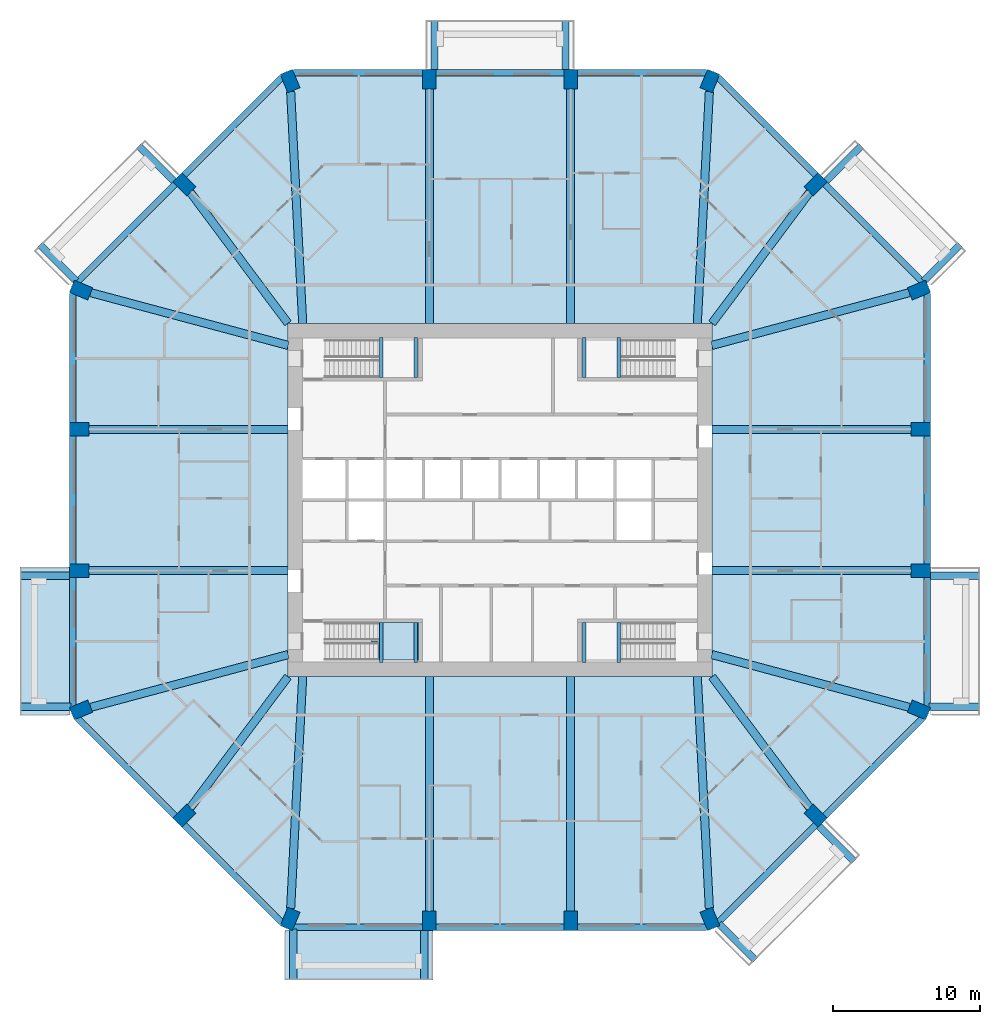
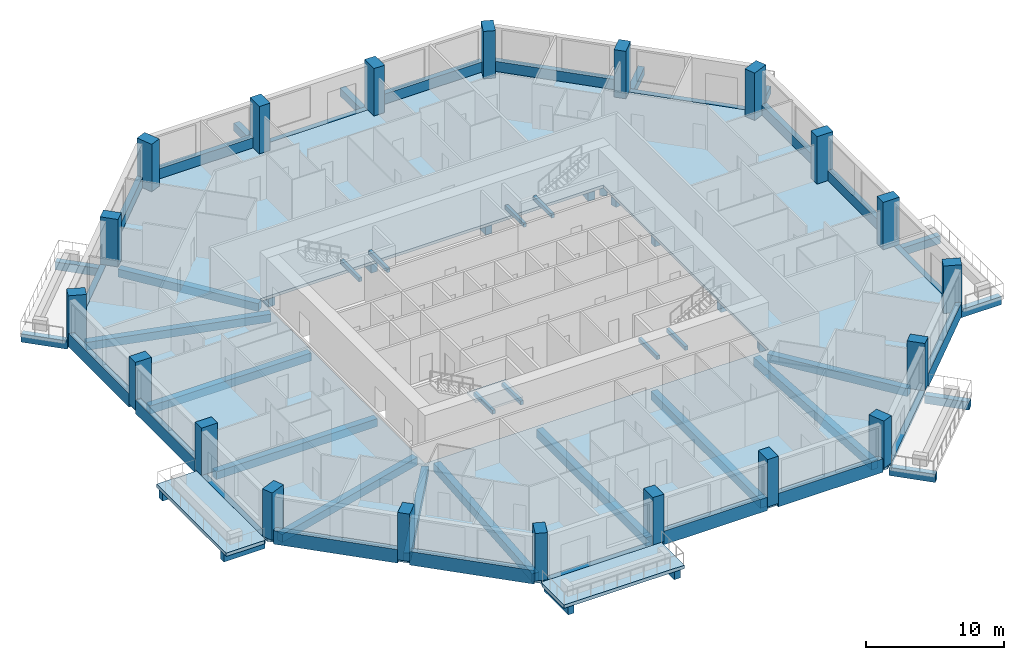
# One storey, part 1 of 13: 62 beams, 20 columns, 4 slabs, 1 element without a shape of its own.
"""IFC4 building model written with IfcOpenShell, lengths in metres."""

from ifc_helpers import new_model, si_unit, direction, frame, origin, origin_2d, place, context, subcontext, project, spatial, polyline, rectangle, outline, extrude, material, layer, layer_set, material_profile, profile_set, type_object, element, aggregate, save


model = new_model("IFC4")

# Units and contexts
model_context = context("Model", 3, precision=1e-05, world=origin(), true_north=direction((0.0, 1.0)))
body_context = subcontext(model_context, "Body", "Model", "MODEL_VIEW")
ifc_project = project(units=[si_unit("LENGTHUNIT", "METRE"), si_unit("AREAUNIT", "SQUARE_METRE"), si_unit("VOLUMEUNIT", "CUBIC_METRE"), si_unit("PLANEANGLEUNIT", "RADIAN"), si_unit("MASSUNIT", "GRAM", prefix="KILO")], contexts=[model_context])

# Site, building, storey
site_placement = place(None, origin())
site = spatial("IfcSite", under=ifc_project, at=site_placement, CompositionType="ELEMENT")
building_placement = place(site_placement, origin())
building = spatial("IfcBuilding", under=site, at=building_placement, Name="Msitu Wima Residences", CompositionType="ELEMENT")
storey_placement = place(building_placement, frame((0.0, 0.0, 54.89990234375)))
storey = spatial("IfcBuildingStorey", under=building, at=storey_placement, Name="L12", CompositionType="ELEMENT", Elevation=54.89990234375)

# Columns
ifc_material_1 = material(Name="Concrete C80/95", Category="concrete")
ifc_material_profile_1 = material_profile(ifc_material_1, rectangle(XDim=0.89990234375, YDim=1.35009765625, at=origin_2d()), Name="RC 900x1350")
ifc_profile_set_1 = profile_set([ifc_material_profile_1], Name="Concrete C80/95")
column_type = type_object("IfcColumnType", Name="Column RC 900x1350 Concrete C80/95", PredefinedType="COLUMN", material=ifc_profile_set_1)
for number, where, z_axis, x_axis, name in (
    (1, (28.4541015625, -14.2568359375, 0.0), (0.0, 0.0, 1.0), (0.382683496864, 0.923879505795, 0.0), "Column L12 C-E0"),
    (2, (28.574951171875, -4.800048828125, 0.0), (0.0, 0.0, 1.0), (0.0, 1.0, 0.0), "Column L12 C-E1"),
    (3, (28.574951171875, 4.800048828125, 0.0), (0.0, 0.0, 1.0), (0.0, 1.0, 0.0), "Column L12 C-E2"),
    (4, (28.4541015625, 14.2568359375, 0.0), (0.0, 0.0, 1.0), (-0.382683496864, 0.923879505795, 0.0), "Column L12 C-NE0"),
    (5, (21.44091796875, 21.44091796875, 0.0), (0.0, 0.0, 1.0), (-0.707106781187, 0.707106781187, 0.0), "Column L12 C-NE1"),
    (6, (14.2568359375, 28.4541015625, 0.0), (0.0, 0.0, 1.0), (-0.923879505795, 0.382683496864, 0.0), "Column L12 C-N0"),
    (7, (4.800048828125, 28.574951171875, 0.0), (0.0, 0.0, 1.0), (-1.0, 0.0, 0.0), "Column L12 C-N1"),
    (8, (-4.800048828125, 28.574951171875, 0.0), (0.0, 0.0, 1.0), (-1.0, 0.0, 0.0), "Column L12 C-N2"),
    (9, (-14.2568359375, 28.4541015625, 0.0), (0.0, 0.0, 1.0), (-0.923879505795, -0.382683496864, 0.0), "Column L12 C-NW0"),
    (10, (-21.44091796875, 21.44091796875, 0.0), (0.0, 0.0, 1.0), (-0.707106781187, -0.707106781187, 0.0), "Column L12 C-NW1"),
    (11, (-28.4541015625, 14.2568359375, 0.0), (0.0, 0.0, 1.0), (-0.382683496864, -0.923879505795, 0.0), "Column L12 C-W0"),
    (12, (-28.574951171875, 4.800048828125, 0.0), (0.0, 0.0, 1.0), (0.0, -1.0, 0.0), "Column L12 C-W1"),
    (13, (-28.574951171875, -4.800048828125, 0.0), (0.0, 0.0, 1.0), (0.0, -1.0, 0.0), "Column L12 C-W2"),
    (14, (-28.4541015625, -14.2568359375, 0.0), (0.0, 0.0, 1.0), (0.382683496864, -0.923879505795, 0.0), "Column L12 C-SW0"),
    (15, (-21.44091796875, -21.44091796875, 0.0), (0.0, 0.0, 1.0), (0.707106781187, -0.707106781187, 0.0), "Column L12 C-SW1"),
    (16, (-14.2568359375, -28.4541015625, 0.0), (0.0, 0.0, 1.0), (0.923879505795, -0.382683496864, 0.0), "Column L12 C-S0"),
    (17, (-4.800048828125, -28.574951171875, 0.0), (0.0, 0.0, 1.0), (1.0, 0.0, 0.0), "Column L12 C-S1"),
    (18, (4.800048828125, -28.574951171875, 0.0), (0.0, 0.0, 1.0), (1.0, 0.0, 0.0), "Column L12 C-S2"),
    (19, (14.2568359375, -28.4541015625, 0.0), (0.0, 0.0, 1.0), (0.923879505795, 0.382683496864, 0.0), "Column L12 C-SE0"),
    (20, (21.44091796875, -21.44091796875, 0.0), (0.0, 0.0, 1.0), (0.707106781187, 0.707106781187, 0.0), "Column L12 C-SE1"),
):
    element("IfcColumn", number, at=place(storey_placement, frame(where, z_axis=z_axis, x_axis=x_axis)), inside=storey, type_object=column_type, Name=name, PredefinedType="COLUMN", context=body_context, shape_type="SweptSolid", body=[
        extrude(rectangle(XDim=0.89990234375, YDim=1.35009765625, at=origin_2d()), origin(), (0.0, 0.0, 1.0), 4.2001953125),
    ])

# Beams
ifc_material_2 = material(Name="Concrete C50/60", Category="concrete")
ifc_material_profile_2 = material_profile(ifc_material_2, rectangle(XDim=0.550048828125, YDim=0.699951171875, at=origin_2d()), Name="RC 550x700")
ifc_profile_set_2 = profile_set([ifc_material_profile_2], Name="Concrete C50/60")
beam_type_1 = type_object("IfcBeamType", Name="Beam RC 550x700 Concrete C50/60", PredefinedType="BEAM", material=ifc_profile_set_2)
beam_1_placement = place(storey_placement, frame((27.79638671875, -14.080810546875, -0.599853515625), z_axis=(-0.966081778408, 0.258236320891, 0.0), x_axis=(-0.258236320891, -0.966081778408, 0.0)))
element("IfcBeam", 21, at=beam_1_placement, inside=storey, type_object=beam_type_1, Name="Beam L12 C-E0", PredefinedType="BEAM", context=body_context, shape_type="SweptSolid", body=[
    extrude(rectangle(XDim=0.550048828125, YDim=0.699951171875, at=origin_2d()), origin(), (0.0, 0.0, 1.0), 13.878662109375),
])
for number, where, z_axis, x_axis, name in (
    (22, (27.89990234375, -4.800048828125, -0.599853515625), (-1.0, 0.0, 0.0), (0.0, -1.0, 0.0), "Beam L12 C-E1"),
    (23, (27.89990234375, 4.800048828125, -0.599853515625), (-1.0, 0.0, 0.0), (0.0, -1.0, 0.0), "Beam L12 C-E2"),
):
    element("IfcBeam", number, at=place(storey_placement, frame(where, z_axis=z_axis, x_axis=x_axis)), inside=storey, type_object=beam_type_1, Name=name, PredefinedType="BEAM", context=body_context, shape_type="SweptSolid", body=[
        extrude(rectangle(XDim=0.550048828125, YDim=0.699951171875, at=origin_2d()), origin(), (0.0, 0.0, 1.0), 13.5),
    ])
beam_2_placement = place(storey_placement, frame((27.79638671875, 14.080810546875, -0.599853515625), z_axis=(-0.966081778408, -0.258236320891, 0.0), x_axis=(0.258236320891, -0.966081778408, 0.0)))
element("IfcBeam", 24, at=beam_2_placement, inside=storey, type_object=beam_type_1, Name="Beam L12 C-NE0", PredefinedType="BEAM", context=body_context, shape_type="SweptSolid", body=[
    extrude(rectangle(XDim=0.550048828125, YDim=0.699951171875, at=origin_2d()), origin(), (0.0, 0.0, 1.0), 13.878662109375),
])
for number, where, z_axis, x_axis, name in (
    (25, (21.033203125, 20.89404296875, -0.599853515625), (-0.597850242031, -0.801607814398, 0.0), (0.801607814398, -0.597850242031, 0.0), "Beam L12 C-NE1"),
    (26, (-21.033203125, 20.89404296875, -0.599853515625), (0.597850242031, -0.801607814398, 0.0), (0.801607814398, 0.597850242031, 0.0), "Beam L12 C-NW1"),
):
    element("IfcBeam", number, at=place(storey_placement, frame(where, z_axis=z_axis, x_axis=x_axis)), inside=storey, type_object=beam_type_1, Name=name, PredefinedType="BEAM", context=body_context, shape_type="SweptSolid", body=[
        extrude(rectangle(XDim=0.550048828125, YDim=0.699951171875, at=origin_2d()), origin(), (0.0, 0.0, 1.0), 11.09521484375),
    ])
beam_3_placement = place(storey_placement, frame((-27.79638671875, 14.080810546875, -0.599853515625), z_axis=(0.966081778408, -0.258236320891, 0.0), x_axis=(0.258236320891, 0.966081778408, 0.0)))
element("IfcBeam", 27, at=beam_3_placement, inside=storey, type_object=beam_type_1, Name="Beam L12 C-W0", PredefinedType="BEAM", context=body_context, shape_type="SweptSolid", body=[
    extrude(rectangle(XDim=0.550048828125, YDim=0.699951171875, at=origin_2d()), origin(), (0.0, 0.0, 1.0), 13.878662109375),
])
for number, where, z_axis, x_axis, name in (
    (28, (-27.89990234375, 4.800048828125, -0.599853515625), (1.0, 0.0, 0.0), (0.0, 1.0, 0.0), "Beam L12 C-W1"),
    (29, (-27.89990234375, -4.800048828125, -0.599853515625), (1.0, 0.0, 0.0), (0.0, 1.0, 0.0), "Beam L12 C-W2"),
):
    element("IfcBeam", number, at=place(storey_placement, frame(where, z_axis=z_axis, x_axis=x_axis)), inside=storey, type_object=beam_type_1, Name=name, PredefinedType="BEAM", context=body_context, shape_type="SweptSolid", body=[
        extrude(rectangle(XDim=0.550048828125, YDim=0.699951171875, at=origin_2d()), origin(), (0.0, 0.0, 1.0), 13.5),
    ])
beam_4_placement = place(storey_placement, frame((-27.79638671875, -14.080810546875, -0.599853515625), z_axis=(0.966081778408, 0.258236320891, 0.0), x_axis=(-0.258236320891, 0.966081778408, 0.0)))
element("IfcBeam", 30, at=beam_4_placement, inside=storey, type_object=beam_type_1, Name="Beam L12 C-SW0", PredefinedType="BEAM", context=body_context, shape_type="SweptSolid", body=[
    extrude(rectangle(XDim=0.550048828125, YDim=0.699951171875, at=origin_2d()), origin(), (0.0, 0.0, 1.0), 13.878662109375),
])
for number, where, z_axis, x_axis, name in (
    (31, (-21.033203125, -20.89404296875, -0.599853515625), (0.597850242031, 0.801607814398, 0.0), (-0.801607814398, 0.597850242031, 0.0), "Beam L12 C-SW1"),
    (32, (21.033203125, -20.89404296875, -0.599853515625), (-0.597850242031, 0.801607814398, 0.0), (-0.801607814398, -0.597850242031, 0.0), "Beam L12 C-SE1"),
):
    element("IfcBeam", number, at=place(storey_placement, frame(where, z_axis=z_axis, x_axis=x_axis)), inside=storey, type_object=beam_type_1, Name=name, PredefinedType="BEAM", context=body_context, shape_type="SweptSolid", body=[
        extrude(rectangle(XDim=0.550048828125, YDim=0.699951171875, at=origin_2d()), origin(), (0.0, 0.0, 1.0), 11.09521484375),
    ])
ifc_material_profile_3 = material_profile(ifc_material_2, rectangle(XDim=0.550048828125, YDim=0.75, at=origin_2d()), Name="RC 550x750")
ifc_profile_set_3 = profile_set([ifc_material_profile_3], Name="Concrete C50/60")
beam_type_2 = type_object("IfcBeamType", Name="Beam RC 550x750 Concrete C50/60", PredefinedType="BEAM", material=ifc_profile_set_3)
beam_5_placement = place(storey_placement, frame((14.219482421875, 27.739013671875, -0.625), z_axis=(-0.05199418091, -0.998647387796, 0.0), x_axis=(0.998647387796, -0.05199418091, 0.0)))
element("IfcBeam", 33, at=beam_5_placement, inside=storey, type_object=beam_type_2, Name="Beam L12 C-N0", PredefinedType="BEAM", context=body_context, shape_type="SweptSolid", body=[
    extrude(rectangle(XDim=0.550048828125, YDim=0.75, at=origin_2d()), origin(), (0.0, 0.0, 1.0), 15.772216796875),
])
for number, where, z_axis, x_axis, name in (
    (34, (4.800048828125, 27.89990234375, -0.625), (0.0, -1.0, 0.0), (1.0, 0.0, 0.0), "Beam L12 C-N1"),
    (35, (-4.800048828125, 27.89990234375, -0.625), (0.0, -1.0, 0.0), (1.0, 0.0, 0.0), "Beam L12 C-N2"),
):
    element("IfcBeam", number, at=place(storey_placement, frame(where, z_axis=z_axis, x_axis=x_axis)), inside=storey, type_object=beam_type_2, Name=name, PredefinedType="BEAM", context=body_context, shape_type="SweptSolid", body=[
        extrude(rectangle(XDim=0.550048828125, YDim=0.75, at=origin_2d()), origin(), (0.0, 0.0, 1.0), 15.89990234375),
    ])
for number, where, z_axis, x_axis, name in (
    (36, (-14.219482421875, 27.739013671875, -0.625), (0.05199418091, -0.998647387796, 0.0), (0.998647387796, 0.05199418091, 0.0), "Beam L12 C-NW0"),
    (37, (-14.219482421875, -27.739013671875, -0.625), (0.05199418091, 0.998647387796, 0.0), (-0.998647387796, 0.05199418091, 0.0), "Beam L12 C-S0"),
):
    element("IfcBeam", number, at=place(storey_placement, frame(where, z_axis=z_axis, x_axis=x_axis)), inside=storey, type_object=beam_type_2, Name=name, PredefinedType="BEAM", context=body_context, shape_type="SweptSolid", body=[
        extrude(rectangle(XDim=0.550048828125, YDim=0.75, at=origin_2d()), origin(), (0.0, 0.0, 1.0), 15.772216796875),
    ])
for number, where, z_axis, x_axis, name in (
    (38, (-4.800048828125, -27.89990234375, -0.625), (0.0, 1.0, 0.0), (-1.0, 0.0, 0.0), "Beam L12 C-S1"),
    (39, (4.800048828125, -27.89990234375, -0.625), (0.0, 1.0, 0.0), (-1.0, 0.0, 0.0), "Beam L12 C-S2"),
):
    element("IfcBeam", number, at=place(storey_placement, frame(where, z_axis=z_axis, x_axis=x_axis)), inside=storey, type_object=beam_type_2, Name=name, PredefinedType="BEAM", context=body_context, shape_type="SweptSolid", body=[
        extrude(rectangle(XDim=0.550048828125, YDim=0.75, at=origin_2d()), origin(), (0.0, 0.0, 1.0), 15.89990234375),
    ])
beam_6_placement = place(storey_placement, frame((14.219482421875, -27.739013671875, -0.625), z_axis=(-0.05199418091, 0.998647387796, 0.0), x_axis=(-0.998647387796, -0.05199418091, 0.0)))
element("IfcBeam", 40, at=beam_6_placement, inside=storey, type_object=beam_type_2, Name="Beam L12 C-SE0", PredefinedType="BEAM", context=body_context, shape_type="SweptSolid", body=[
    extrude(rectangle(XDim=0.550048828125, YDim=0.75, at=origin_2d()), origin(), (0.0, 0.0, 1.0), 15.772216796875),
])
ifc_material_profile_4 = material_profile(ifc_material_2, rectangle(XDim=0.5, YDim=0.699951171875, at=origin_2d()), Name="RC 500x700")
ifc_profile_set_4 = profile_set([ifc_material_profile_4], Name="Concrete C50/60")
beam_type_3 = type_object("IfcBeamType", Name="Cantilever beam RC 500x700 Concrete C50/60", PredefinedType="BEAM", material=ifc_profile_set_4)
beam_7_placement = place(storey_placement, frame((29.130859375, -14.050048828125, -0.64990234375), z_axis=(1.0, 0.0, 0.0), x_axis=(0.0, 1.0, 0.0)))
element("IfcBeam", 41, at=beam_7_placement, inside=storey, type_object=beam_type_3, Name="Cantilever beam L12 BA-E0 A", PredefinedType="BEAM", context=body_context, shape_type="SweptSolid", body=[
    extrude(rectangle(XDim=0.5, YDim=0.699951171875, at=origin_2d()), origin(), (0.0, 0.0, 1.0), 3.46923828125),
])
beam_8_placement = place(storey_placement, frame((29.25, -5.14990234375, -0.64990234375), z_axis=(1.0, 0.0, 0.0), x_axis=(0.0, 1.0, 0.0)))
element("IfcBeam", 42, at=beam_8_placement, inside=storey, type_object=beam_type_3, Name="Cantilever beam L12 BA-E0 B", PredefinedType="BEAM", context=body_context, shape_type="SweptSolid", body=[
    extrude(rectangle(XDim=0.5, YDim=0.699951171875, at=origin_2d()), origin(), (0.0, 0.0, 1.0), 3.35009765625),
])
beam_9_placement = place(storey_placement, frame((28.78662109375, 14.881591796875, -0.64990234375), z_axis=(0.707106781187, 0.707106781187, 0.0), x_axis=(-0.707106781187, 0.707106781187, 0.0)))
element("IfcBeam", 43, at=beam_9_placement, inside=storey, type_object=beam_type_3, Name="Cantilever beam L12 BA-NE0 A", PredefinedType="BEAM", context=body_context, shape_type="SweptSolid", body=[
    extrude(rectangle(XDim=0.5, YDim=0.699951171875, at=origin_2d()), origin(), (0.0, 0.0, 1.0), 3.468994140625),
])
beam_10_placement = place(storey_placement, frame((22.165771484375, 21.670654296875, -0.64990234375), z_axis=(0.707070340836, 0.707143219659, 0.0), x_axis=(-0.707143219659, 0.707070340836, 0.0)))
element("IfcBeam", 44, at=beam_10_placement, inside=storey, type_object=beam_type_3, Name="Cantilever beam L12 BA-NE0 B", PredefinedType="BEAM", context=body_context, shape_type="SweptSolid", body=[
    extrude(rectangle(XDim=0.5, YDim=0.699951171875, at=origin_2d()), origin(), (0.0, 0.0, 1.0), 3.349853515625),
])
for number, where, z_axis, x_axis, name in (
    (45, (4.449951171875, 29.25, -0.64990234375), (0.0, 1.0, 0.0), (-1.0, 0.0, 0.0), "Cantilever beam L12 BA-N1 A"),
    (46, (-4.449951171875, 29.25, -0.64990234375), (0.0, 1.0, 0.0), (-1.0, 0.0, 0.0), "Cantilever beam L12 BA-N1 B"),
):
    element("IfcBeam", number, at=place(storey_placement, frame(where, z_axis=z_axis, x_axis=x_axis)), inside=storey, type_object=beam_type_3, Name=name, PredefinedType="BEAM", context=body_context, shape_type="SweptSolid", body=[
        extrude(rectangle(XDim=0.5, YDim=0.699951171875, at=origin_2d()), origin(), (0.0, 0.0, 1.0), 3.35009765625),
    ])
beam_11_placement = place(storey_placement, frame((-22.165771484375, 21.670654296875, -0.64990234375), z_axis=(-0.707070340836, 0.707143219659, 0.0), x_axis=(-0.707143219659, -0.707070340836, 0.0)))
element("IfcBeam", 47, at=beam_11_placement, inside=storey, type_object=beam_type_3, Name="Cantilever beam L12 BA-NW1 A", PredefinedType="BEAM", context=body_context, shape_type="SweptSolid", body=[
    extrude(rectangle(XDim=0.5, YDim=0.699951171875, at=origin_2d()), origin(), (0.0, 0.0, 1.0), 3.349853515625),
])
beam_12_placement = place(storey_placement, frame((-28.78662109375, 14.881591796875, -0.64990234375), z_axis=(-0.707106781187, 0.707106781187, 0.0), x_axis=(-0.707106781187, -0.707106781187, 0.0)))
element("IfcBeam", 48, at=beam_12_placement, inside=storey, type_object=beam_type_3, Name="Cantilever beam L12 BA-NW1 B", PredefinedType="BEAM", context=body_context, shape_type="SweptSolid", body=[
    extrude(rectangle(XDim=0.5, YDim=0.699951171875, at=origin_2d()), origin(), (0.0, 0.0, 1.0), 3.468994140625),
])
beam_13_placement = place(storey_placement, frame((-29.25, -5.14990234375, -0.64990234375), z_axis=(-1.0, 0.0, 0.0), x_axis=(0.0, -1.0, 0.0)))
element("IfcBeam", 49, at=beam_13_placement, inside=storey, type_object=beam_type_3, Name="Cantilever beam L12 BA-W2 A", PredefinedType="BEAM", context=body_context, shape_type="SweptSolid", body=[
    extrude(rectangle(XDim=0.5, YDim=0.699951171875, at=origin_2d()), origin(), (0.0, 0.0, 1.0), 3.35009765625),
])
for number, where, z_axis, x_axis, name in (
    (50, (-29.130859375, -14.050048828125, -0.64990234375), (-1.0, 0.0, 0.0), (0.0, -1.0, 0.0), "Cantilever beam L12 BA-W2 B"),
    (51, (-14.050048828125, -29.130859375, -0.64990234375), (0.0, -1.0, 0.0), (1.0, 0.0, 0.0), "Cantilever beam L12 BA-S0 A"),
):
    element("IfcBeam", number, at=place(storey_placement, frame(where, z_axis=z_axis, x_axis=x_axis)), inside=storey, type_object=beam_type_3, Name=name, PredefinedType="BEAM", context=body_context, shape_type="SweptSolid", body=[
        extrude(rectangle(XDim=0.5, YDim=0.699951171875, at=origin_2d()), origin(), (0.0, 0.0, 1.0), 3.46923828125),
    ])
beam_14_placement = place(storey_placement, frame((-5.14990234375, -29.25, -0.64990234375), z_axis=(0.0, -1.0, 0.0), x_axis=(1.0, 0.0, 0.0)))
element("IfcBeam", 52, at=beam_14_placement, inside=storey, type_object=beam_type_3, Name="Cantilever beam L12 BA-S0 B", PredefinedType="BEAM", context=body_context, shape_type="SweptSolid", body=[
    extrude(rectangle(XDim=0.5, YDim=0.699951171875, at=origin_2d()), origin(), (0.0, 0.0, 1.0), 3.35009765625),
])
beam_15_placement = place(storey_placement, frame((14.881591796875, -28.78662109375, -0.64990234375), z_axis=(0.707106781187, -0.707106781187, 0.0), x_axis=(0.707106781187, 0.707106781187, 0.0)))
element("IfcBeam", 53, at=beam_15_placement, inside=storey, type_object=beam_type_3, Name="Cantilever beam L12 BA-SE0 A", PredefinedType="BEAM", context=body_context, shape_type="SweptSolid", body=[
    extrude(rectangle(XDim=0.5, YDim=0.699951171875, at=origin_2d()), origin(), (0.0, 0.0, 1.0), 3.468994140625),
])
beam_16_placement = place(storey_placement, frame((21.670654296875, -22.165771484375, -0.64990234375), z_axis=(0.707143219659, -0.707070340836, 0.0), x_axis=(0.707070340836, 0.707143219659, 0.0)))
element("IfcBeam", 54, at=beam_16_placement, inside=storey, type_object=beam_type_3, Name="Cantilever beam L12 BA-SE0 B", PredefinedType="BEAM", context=body_context, shape_type="SweptSolid", body=[
    extrude(rectangle(XDim=0.5, YDim=0.699951171875, at=origin_2d()), origin(), (0.0, 0.0, 1.0), 3.349853515625),
])
ifc_material_profile_5 = material_profile(ifc_material_2, rectangle(XDim=0.449951171875, YDim=0.300048828125, at=origin_2d()), Name="RC 450x300")
ifc_profile_set_5 = profile_set([ifc_material_profile_5], Name="Concrete C50/60")
beam_type_4 = type_object("IfcBeamType", Name="Edge beam RC 450x300 Concrete C50/60", PredefinedType="SPANDREL", material=ifc_profile_set_5)
beam_17_placement = place(storey_placement, frame((29.02490234375, -14.01806640625, -0.14990234375), z_axis=(0.0, 1.0, 0.0), x_axis=(-1.0, 0.0, 0.0)))
element("IfcBeam", 55, at=beam_17_placement, inside=storey, type_object=beam_type_4, Name="Spandrel L12 E0", PredefinedType="SPANDREL", context=body_context, shape_type="SweptSolid", body=[
    extrude(rectangle(XDim=0.449951171875, YDim=0.300048828125, at=origin_2d()), origin(), (0.0, 0.0, 1.0), 8.76806640625),
])
beam_18_placement = place(storey_placement, frame((28.68896484375, 14.8291015625, -0.14990234375), z_axis=(-0.707093725903, 0.707119836229, 0.0), x_axis=(-0.707119836229, -0.707093725903, 0.0)))
element("IfcBeam", 56, at=beam_18_placement, inside=storey, type_object=beam_type_4, Name="Spandrel L12 NE0", PredefinedType="SPANDREL", context=body_context, shape_type="SweptSolid", body=[
    extrude(rectangle(XDim=0.449951171875, YDim=0.300048828125, at=origin_2d()), origin(), (0.0, 0.0, 1.0), 9.350341796875),
])
beam_19_placement = place(storey_placement, frame((4.35009765625, 29.02490234375, -0.14990234375), z_axis=(-1.0, 0.0, 0.0), x_axis=(0.0, -1.0, 0.0)))
element("IfcBeam", 57, at=beam_19_placement, inside=storey, type_object=beam_type_4, Name="Spandrel L12 N1", PredefinedType="SPANDREL", context=body_context, shape_type="SweptSolid", body=[
    extrude(rectangle(XDim=0.449951171875, YDim=0.300048828125, at=origin_2d()), origin(), (0.0, 0.0, 1.0), 8.7001953125),
])
beam_20_placement = place(storey_placement, frame((-22.077392578125, 21.44091796875, -0.14990234375), z_axis=(-0.707093725903, -0.707119836229, 0.0), x_axis=(0.707119836229, -0.707093725903, 0.0)))
element("IfcBeam", 58, at=beam_20_placement, inside=storey, type_object=beam_type_4, Name="Spandrel L12 NW1", PredefinedType="SPANDREL", context=body_context, shape_type="SweptSolid", body=[
    extrude(rectangle(XDim=0.449951171875, YDim=0.300048828125, at=origin_2d()), origin(), (0.0, 0.0, 1.0), 9.350341796875),
])
for number, where, z_axis, x_axis, name in (
    (59, (-29.02490234375, -5.25, -0.14990234375), (0.0, -1.0, 0.0), (1.0, 0.0, 0.0), "Spandrel L12 W2"),
    (60, (-14.01806640625, -29.02490234375, -0.14990234375), (1.0, 0.0, 0.0), (0.0, 1.0, 0.0), "Spandrel L12 S0"),
):
    element("IfcBeam", number, at=place(storey_placement, frame(where, z_axis=z_axis, x_axis=x_axis)), inside=storey, type_object=beam_type_4, Name=name, PredefinedType="SPANDREL", context=body_context, shape_type="SweptSolid", body=[
        extrude(rectangle(XDim=0.449951171875, YDim=0.300048828125, at=origin_2d()), origin(), (0.0, 0.0, 1.0), 8.76806640625),
    ])
beam_21_placement = place(storey_placement, frame((14.8291015625, -28.68896484375, -0.14990234375), z_axis=(0.707119836229, 0.707093725903, 0.0), x_axis=(-0.707093725903, 0.707119836229, 0.0)))
element("IfcBeam", 61, at=beam_21_placement, inside=storey, type_object=beam_type_4, Name="Spandrel L12 SE0", PredefinedType="SPANDREL", context=body_context, shape_type="SweptSolid", body=[
    extrude(rectangle(XDim=0.449951171875, YDim=0.300048828125, at=origin_2d()), origin(), (0.0, 0.0, 1.0), 9.350341796875),
])
ifc_material_3 = material(Name="Concrete C40/50", Category="concrete")
ifc_material_profile_6 = material_profile(ifc_material_3, rectangle(XDim=0.25, YDim=0.35009765625, at=origin_2d()), Name="RC 250x350")
ifc_profile_set_6 = profile_set([ifc_material_profile_6], Name="Concrete C40/50")
beam_type_5 = type_object("IfcBeamType", Name="Landing beam RC 250x350", PredefinedType="BEAM", material=ifc_profile_set_6)
for number, where, z_axis, x_axis, name in (
    (62, (-8.074951171875, 8.324951171875, 1.72509765625), (0.0, 1.0, 0.0), (-1.0, 0.0, 0.0), "Stair 1 landing beam"),
    (63, (-5.72509765625, 8.324951171875, 1.72509765625), (0.0, 1.0, 0.0), (-1.0, 0.0, 0.0), "Stair 1 landing beam"),
    (64, (-8.074951171875, -11.02490234375, 1.72509765625), (0.0, 1.0, 0.0), (-1.0, 0.0, 0.0), "Stair 2 landing beam"),
    (65, (-5.72509765625, -11.02490234375, 1.72509765625), (0.0, 1.0, 0.0), (-1.0, 0.0, 0.0), "Stair 2 landing beam"),
    (66, (8.074951171875, 8.324951171875, 1.72509765625), (0.0, 1.0, 0.0), (-1.0, 0.0, 0.0), "Stair 3 landing beam"),
    (67, (5.72509765625, 8.324951171875, 1.72509765625), (0.0, 1.0, 0.0), (-1.0, 0.0, 0.0), "Stair 3 landing beam"),
    (68, (8.074951171875, -11.02490234375, 1.72509765625), (0.0, 1.0, 0.0), (-1.0, 0.0, 0.0), "Stair 4 landing beam"),
    (69, (5.72509765625, -11.02490234375, 1.72509765625), (0.0, 1.0, 0.0), (-1.0, 0.0, 0.0), "Stair 4 landing beam"),
):
    element("IfcBeam", number, at=place(storey_placement, frame(where, z_axis=z_axis, x_axis=x_axis)), inside=storey, type_object=beam_type_5, Name=name, PredefinedType="BEAM", context=body_context, shape_type="SweptSolid", body=[
        extrude(rectangle(XDim=0.25, YDim=0.35009765625, at=origin_2d()), origin(), (0.0, 0.0, 1.0), 2.699951171875),
    ])
ifc_material_profile_7 = material_profile(ifc_material_2, rectangle(XDim=0.449951171875, YDim=1.199951171875, at=origin_2d()), Name="RC 450x1200")
ifc_profile_set_7 = profile_set([ifc_material_profile_7], Name="Concrete C50/60")
beam_type_6 = type_object("IfcBeamType", Name="Spandrel RC 450x1200 Concrete C50/60", PredefinedType="SPANDREL", material=ifc_profile_set_7)
beam_22_placement = place(storey_placement, frame((29.02490234375, -4.35009765625, 0.300048828125), z_axis=(0.0, 1.0, 0.0), x_axis=(-1.0, 0.0, 0.0)))
element("IfcBeam", 70, at=beam_22_placement, inside=storey, type_object=beam_type_6, Name="Spandrel L12 E1", PredefinedType="SPANDREL", context=body_context, shape_type="SweptSolid", body=[
    extrude(rectangle(XDim=0.449951171875, YDim=1.199951171875, at=origin_2d()), origin(), (0.0, 0.0, 1.0), 8.7001953125),
])
beam_23_placement = place(storey_placement, frame((29.02490234375, 5.25, 0.300048828125), z_axis=(0.0, 1.0, 0.0), x_axis=(-1.0, 0.0, 0.0)))
element("IfcBeam", 71, at=beam_23_placement, inside=storey, type_object=beam_type_6, Name="Spandrel L12 E2", PredefinedType="SPANDREL", context=body_context, shape_type="SweptSolid", body=[
    extrude(rectangle(XDim=0.449951171875, YDim=1.199951171875, at=origin_2d()), origin(), (0.0, 0.0, 1.0), 8.76806640625),
])
beam_24_placement = place(storey_placement, frame((21.44091796875, 22.077392578125, 0.300048828125), z_axis=(-0.707119836229, 0.707093725903, 0.0), x_axis=(-0.707093725903, -0.707119836229, 0.0)))
element("IfcBeam", 72, at=beam_24_placement, inside=storey, type_object=beam_type_6, Name="Spandrel L12 NE1", PredefinedType="SPANDREL", context=body_context, shape_type="SweptSolid", body=[
    extrude(rectangle(XDim=0.449951171875, YDim=1.199951171875, at=origin_2d()), origin(), (0.0, 0.0, 1.0), 9.350341796875),
])
for number, where, z_axis, x_axis, name in (
    (73, (14.01806640625, 29.02490234375, 0.300048828125), (-1.0, 0.0, 0.0), (0.0, -1.0, 0.0), "Spandrel L12 N0"),
    (74, (-5.25, 29.02490234375, 0.300048828125), (-1.0, 0.0, 0.0), (0.0, -1.0, 0.0), "Spandrel L12 N2"),
):
    element("IfcBeam", number, at=place(storey_placement, frame(where, z_axis=z_axis, x_axis=x_axis)), inside=storey, type_object=beam_type_6, Name=name, PredefinedType="SPANDREL", context=body_context, shape_type="SweptSolid", body=[
        extrude(rectangle(XDim=0.449951171875, YDim=1.199951171875, at=origin_2d()), origin(), (0.0, 0.0, 1.0), 8.76806640625),
    ])
beam_25_placement = place(storey_placement, frame((-14.8291015625, 28.68896484375, 0.300048828125), z_axis=(-0.707119836229, -0.707093725903, 0.0), x_axis=(0.707093725903, -0.707119836229, 0.0)))
element("IfcBeam", 75, at=beam_25_placement, inside=storey, type_object=beam_type_6, Name="Spandrel L12 NW0", PredefinedType="SPANDREL", context=body_context, shape_type="SweptSolid", body=[
    extrude(rectangle(XDim=0.449951171875, YDim=1.199951171875, at=origin_2d()), origin(), (0.0, 0.0, 1.0), 9.350341796875),
])
beam_26_placement = place(storey_placement, frame((-29.02490234375, 14.01806640625, 0.300048828125), z_axis=(0.0, -1.0, 0.0), x_axis=(1.0, 0.0, 0.0)))
element("IfcBeam", 76, at=beam_26_placement, inside=storey, type_object=beam_type_6, Name="Spandrel L12 W0", PredefinedType="SPANDREL", context=body_context, shape_type="SweptSolid", body=[
    extrude(rectangle(XDim=0.449951171875, YDim=1.199951171875, at=origin_2d()), origin(), (0.0, 0.0, 1.0), 8.76806640625),
])
beam_27_placement = place(storey_placement, frame((-29.02490234375, 4.35009765625, 0.300048828125), z_axis=(0.0, -1.0, 0.0), x_axis=(1.0, 0.0, 0.0)))
element("IfcBeam", 77, at=beam_27_placement, inside=storey, type_object=beam_type_6, Name="Spandrel L12 W1", PredefinedType="SPANDREL", context=body_context, shape_type="SweptSolid", body=[
    extrude(rectangle(XDim=0.449951171875, YDim=1.199951171875, at=origin_2d()), origin(), (0.0, 0.0, 1.0), 8.7001953125),
])
for number, where, z_axis, x_axis, name in (
    (78, (-28.68896484375, -14.8291015625, 0.300048828125), (0.707093725903, -0.707119836229, 0.0), (0.707119836229, 0.707093725903, 0.0), "Spandrel L12 SW0"),
    (79, (-21.44091796875, -22.077392578125, 0.300048828125), (0.707119836229, -0.707093725903, 0.0), (0.707093725903, 0.707119836229, 0.0), "Spandrel L12 SW1"),
):
    element("IfcBeam", number, at=place(storey_placement, frame(where, z_axis=z_axis, x_axis=x_axis)), inside=storey, type_object=beam_type_6, Name=name, PredefinedType="SPANDREL", context=body_context, shape_type="SweptSolid", body=[
        extrude(rectangle(XDim=0.449951171875, YDim=1.199951171875, at=origin_2d()), origin(), (0.0, 0.0, 1.0), 9.350341796875),
    ])
beam_28_placement = place(storey_placement, frame((-4.35009765625, -29.02490234375, 0.300048828125), z_axis=(1.0, 0.0, 0.0), x_axis=(0.0, 1.0, 0.0)))
element("IfcBeam", 80, at=beam_28_placement, inside=storey, type_object=beam_type_6, Name="Spandrel L12 S1", PredefinedType="SPANDREL", context=body_context, shape_type="SweptSolid", body=[
    extrude(rectangle(XDim=0.449951171875, YDim=1.199951171875, at=origin_2d()), origin(), (0.0, 0.0, 1.0), 8.7001953125),
])
beam_29_placement = place(storey_placement, frame((5.25, -29.02490234375, 0.300048828125), z_axis=(1.0, 0.0, 0.0), x_axis=(0.0, 1.0, 0.0)))
element("IfcBeam", 81, at=beam_29_placement, inside=storey, type_object=beam_type_6, Name="Spandrel L12 S2", PredefinedType="SPANDREL", context=body_context, shape_type="SweptSolid", body=[
    extrude(rectangle(XDim=0.449951171875, YDim=1.199951171875, at=origin_2d()), origin(), (0.0, 0.0, 1.0), 8.76806640625),
])
beam_30_placement = place(storey_placement, frame((22.077392578125, -21.44091796875, 0.300048828125), z_axis=(0.707093725903, 0.707119836229, 0.0), x_axis=(-0.707119836229, 0.707093725903, 0.0)))
element("IfcBeam", 82, at=beam_30_placement, inside=storey, type_object=beam_type_6, Name="Spandrel L12 SE1", PredefinedType="SPANDREL", context=body_context, shape_type="SweptSolid", body=[
    extrude(rectangle(XDim=0.449951171875, YDim=1.199951171875, at=origin_2d()), origin(), (0.0, 0.0, 1.0), 9.350341796875),
])

# Slabs
ifc_layer_1 = layer(ifc_material_3, 0.300048828125)
ifc_layer_set_1 = layer_set([ifc_layer_1], Name="Concrete C40/50")
slab_type_1 = type_object("IfcSlabType", Name="Balcony slab BS300", PredefinedType="FLOOR", material=ifc_layer_set_1)
slab_1_placement = place(storey_placement, frame((0.0, 0.0, -0.2998046875)))
element("IfcSlab", 83, at=slab_1_placement, inside=storey, type_object=slab_type_1, Name="Balcony W2 L12", PredefinedType="FLOOR", context=body_context, shape_type="SweptSolid", body=[
    extrude(outline(polyline([(-29.25, -14.099365234375), (-29.25, -14.099365234375), (-29.25, -14.099365234375), (-29.25, -14.58642578125), (-29.403564453125, -14.64990234375), (-32.60009765625, -14.64990234375), (-32.60009765625, -4.550048828125), (-29.25, -4.550048828125), (-29.25, -5.25), (-29.25, -14.099365234375)])), origin(), (0.0, 0.0, 1.0), 0.2998046875),
])
slab_2_placement = place(storey_placement, frame((0.0, 0.0, -0.2998046875)))
element("IfcSlab", 84, at=slab_2_placement, inside=storey, type_object=slab_type_1, Name="Balcony S0 L12", PredefinedType="FLOOR", context=body_context, shape_type="SweptSolid", body=[
    extrude(outline(polyline([(-14.099365234375, -29.25), (-14.099365234375, -29.25), (-5.25, -29.25), (-4.550048828125, -29.25), (-4.550048828125, -32.60009765625), (-14.64990234375, -32.60009765625), (-14.64990234375, -29.403564453125), (-14.58642578125, -29.25), (-14.099365234375, -29.25), (-14.099365234375, -29.25)])), origin(), (0.0, 0.0, 1.0), 0.2998046875),
])
ifc_layer_2 = layer(ifc_material_3, 0.25)
ifc_layer_set_2 = layer_set([ifc_layer_2], Name="Concrete C40/50")
slab_type_2 = type_object("IfcSlabType", Name="PT flat slab 250 Concrete C40/50", PredefinedType="FLOOR", material=ifc_layer_set_2)
slab_3_placement = place(storey_placement, frame((0.0, 0.0, -0.25)))
element("IfcSlab", 85, at=slab_3_placement, inside=storey, type_object=slab_type_2, Name="Floor slab L12", PredefinedType="FLOOR", context=body_context, shape_type="SweptSolid", body=[
    extrude(outline(polyline([(29.10009765625, -14.524169921875), (14.524169921875, -29.10009765625), (-14.524169921875, -29.10009765625), (-29.10009765625, -14.524169921875), (-29.10009765625, 14.524169921875), (-14.524169921875, 29.10009765625), (14.524169921875, 29.10009765625), (29.10009765625, 14.524169921875), (29.10009765625, -14.524169921875)]), holes=[polyline([(-14.39990234375, -12.0), (14.39990234375, -12.0), (14.39990234375, 12.0), (-14.39990234375, 12.0), (-14.39990234375, -12.0)])]), origin(), (0.0, 0.0, 1.0), 0.25),
])

# Stair, slab
stair_type = type_object("IfcStairType", Name="Exit stair ES1615-120", PredefinedType="HALF_TURN_STAIR", material=ifc_material_3)
stair_placement = place(storey_placement, origin())
stair = element("IfcStair", 86, at=stair_placement, inside=storey, type_object=stair_type, Name="Exit stair 2", PredefinedType="HALF_TURN_STAIR")
ifc_layer_3 = layer(ifc_material_3, 0.199951171875)
ifc_layer_set_3 = layer_set([ifc_layer_3], Name="Concrete C40/50")
slab_type_3 = type_object("IfcSlabType", Name="Stair landing SL200", PredefinedType="LANDING", material=ifc_layer_set_3)
slab_4_placement = place(storey_placement, frame((0.0, 0.0, 1.900146484375)))
slab_4 = element("IfcSlab", 87, at=slab_4_placement, type_object=slab_type_3, Name="S2 landing 1", PredefinedType="LANDING", context=body_context, shape_type="SweptSolid", body=[
    extrude(outline(polyline([(-5.52490234375, -10.875), (-8.275390625, -10.875), (-8.275390625, -9.60009765625), (-8.77490234375, -9.60009765625), (-8.77490234375, -8.324951171875), (-5.52490234375, -8.324951171875), (-5.52490234375, -10.875)])), origin(), (0.0, 0.0, 1.0), 0.199951171875),
])
aggregate(stair, [slab_4])

save(model, "model.ifc")
